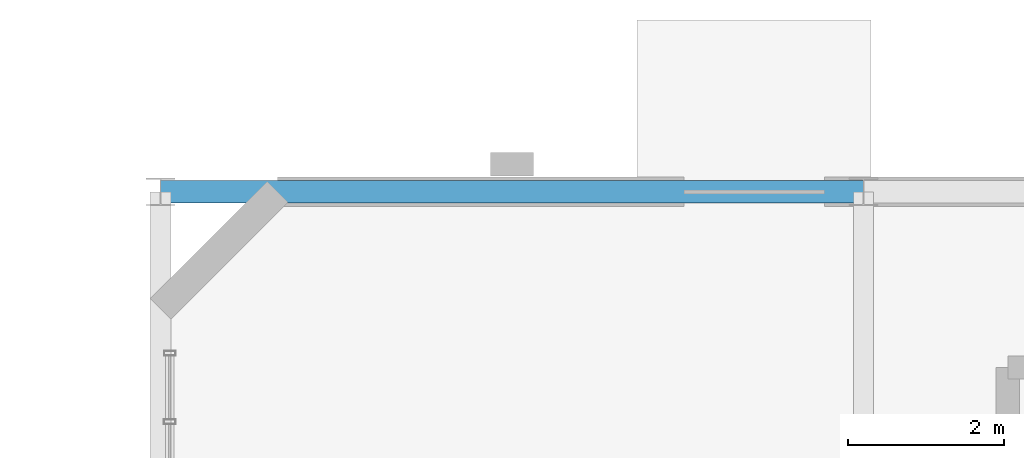
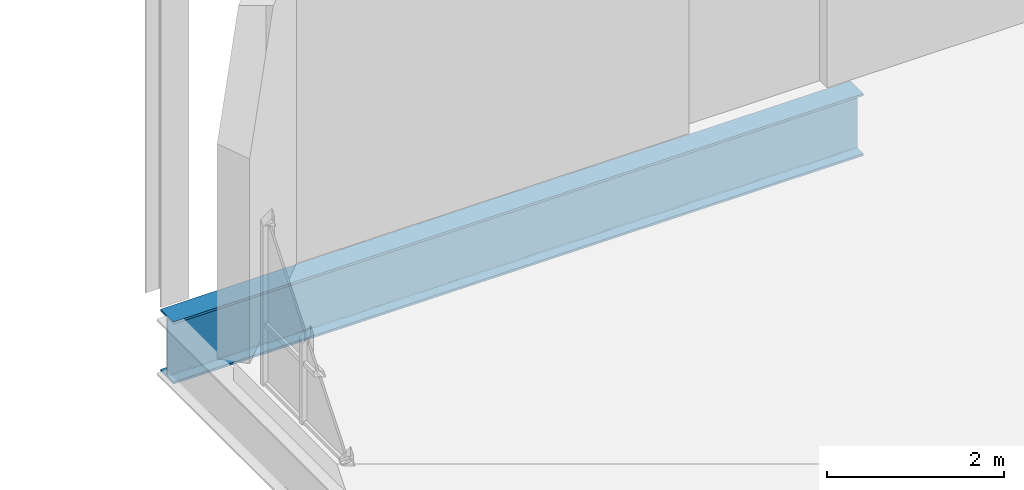
# One storey, part 91 of 189: 1 beam.
"""IFC4 building model written with IfcOpenShell, lengths in metres."""

from ifc_helpers import new_model, si_unit, direction, frame, origin, origin_2d, place, context, subcontext, project, spatial, i_section, extrude, material, material_profile, profile_set, type_object, element, save


model = new_model("IFC4")

# Units and contexts
model_context = context("Model", 3, precision=1e-05, world=origin(), true_north=direction((0.0, 1.0)))
body_context = subcontext(model_context, "Body", "Model", "MODEL_VIEW")
ifc_project = project(units=[si_unit("LENGTHUNIT", "METRE"), si_unit("AREAUNIT", "SQUARE_METRE"), si_unit("VOLUMEUNIT", "CUBIC_METRE"), si_unit("PLANEANGLEUNIT", "RADIAN"), si_unit("MASSUNIT", "GRAM", prefix="KILO"), si_unit("THERMODYNAMICTEMPERATUREUNIT", "KELVIN"), si_unit("POWERUNIT", "WATT")], contexts=[model_context])

# Site, building, storey
site_placement = place(None, origin())
site = spatial("IfcSite", under=ifc_project, at=site_placement, CompositionType="ELEMENT")
building_placement = place(site_placement, origin())
building = spatial("IfcBuilding", under=site, at=building_placement, Name="Zelmaris Science Centre", CompositionType="ELEMENT")
storey_placement = place(building_placement, origin())
storey = spatial("IfcBuildingStorey", under=building, at=storey_placement, Name="L00", CompositionType="ELEMENT", Elevation=0.0)

# Beam
ifc_material = material(Name="Steel ASTM A992 Grade 50", Category="steel")
ifc_material_profile = material_profile(ifc_material, i_section(OverallWidth=0.2919921875, OverallDepth=0.85888671875, WebThickness=0.01708984375, FlangeThickness=0.031005859375, FilletRadius=0.02001953125, at=origin_2d()), Name="W33X169")
ifc_profile_set = profile_set([ifc_material_profile], Name="Steel ASTM A992 Grade 50")
beam_type = type_object("IfcBeamType", Name="Beam G-29 W33X169", PredefinedType="BEAM", material=ifc_profile_set)
beam_placement = place(storey_placement, frame((54.0, 88.0, -0.70947265625), z_axis=(1.0, 0.0, 0.0), x_axis=(0.0, 1.0, 0.0)))
element("IfcBeam", 1, at=beam_placement, inside=storey, type_object=beam_type, Name="L00 East-west girder 173", PredefinedType="BEAM", context=body_context, shape_type="SweptSolid", body=[
    extrude(i_section(OverallWidth=0.2919921875, OverallDepth=0.85888671875, WebThickness=0.01708984375, FlangeThickness=0.031005859375, FilletRadius=0.02001953125, at=origin_2d()), origin(), (0.0, 0.0, 1.0), 9.0),
])

save(model, "model.ifc")
